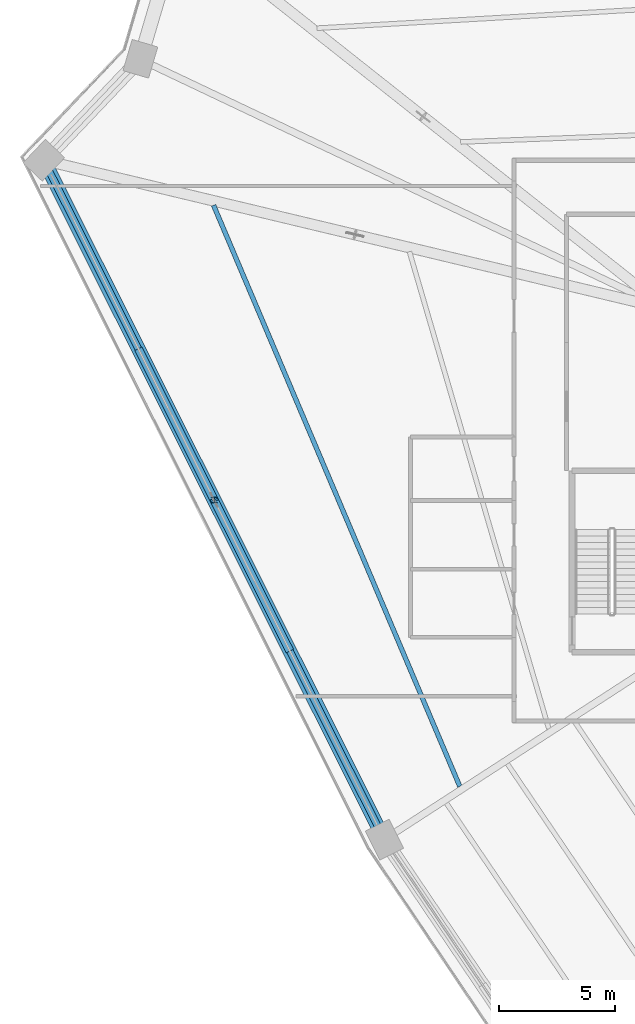
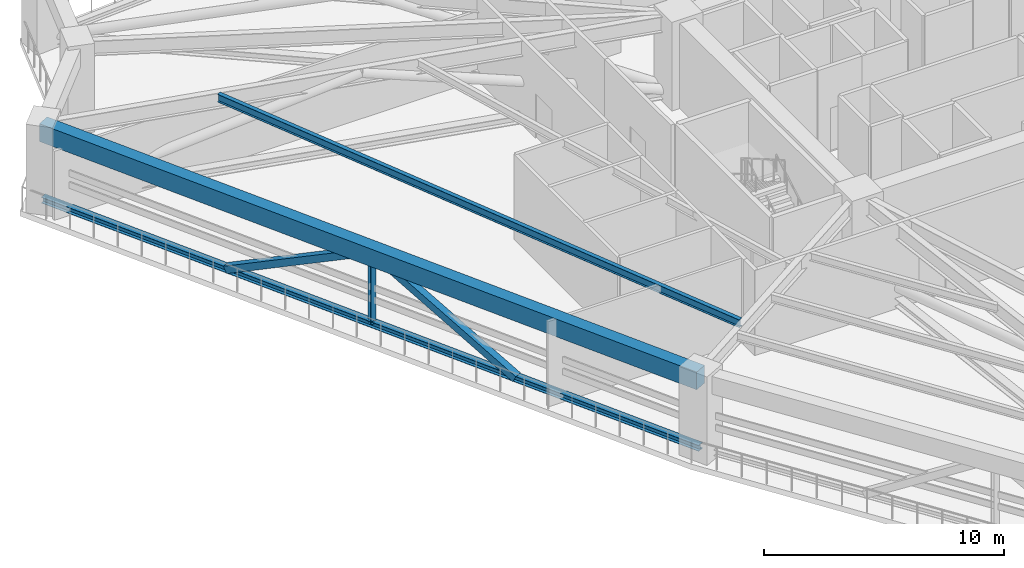
# One storey, part 5 of 23: 4 members, 2 beams.
"""IFC4 building model written with IfcOpenShell, lengths in metres."""

from ifc_helpers import new_model, si_unit, direction, frame, origin, origin_2d, place, context, subcontext, project, spatial, rectangle, hollow_rectangle, i_section, extrude, source, transform, mapped, material, material_profile, profile_set, type_object, element, save


model = new_model("IFC4")

# Units and contexts
model_context = context("Model", 3, precision=1e-05, world=origin(), true_north=direction((0.0, 1.0)))
body_context = subcontext(model_context, "Body", "Model", "MODEL_VIEW")
ifc_project = project(units=[si_unit("LENGTHUNIT", "METRE"), si_unit("AREAUNIT", "SQUARE_METRE"), si_unit("VOLUMEUNIT", "CUBIC_METRE"), si_unit("PLANEANGLEUNIT", "RADIAN"), si_unit("MASSUNIT", "GRAM", prefix="KILO")], contexts=[model_context])

# Site, building, storey
site_placement = place(None, origin())
site = spatial("IfcSite", under=ifc_project, at=site_placement, CompositionType="ELEMENT")
building_placement = place(site_placement, origin())
building = spatial("IfcBuilding", under=site, at=building_placement, Name="Liaohun Quay Tower", CompositionType="ELEMENT")
storey_placement = place(building_placement, frame((0.0, 0.0, 139.5)))
storey = spatial("IfcBuildingStorey", under=building, at=storey_placement, Name="L36", CompositionType="ELEMENT", Elevation=139.5)

# Member
ifc_material_1 = material(Name="Steel Q355D", Category="steel")
ifc_material_profile_1 = material_profile(ifc_material_1, i_section(OverallWidth=0.25, OverallDepth=0.25, WebThickness=0.009033203125, FlangeThickness=0.013916015625, at=origin_2d()), Name="HW250x250x9x14")
ifc_profile_set_1 = profile_set([ifc_material_profile_1], Name="Steel Q355D")
member_type_1 = type_object("IfcMemberType", Name="MEM-BLT-PST", PredefinedType="POST", material=ifc_profile_set_1)
shared_shape_1 = source(origin(), body_context, "Body", "SweptSolid", [
    extrude(i_section(OverallWidth=0.25, OverallDepth=0.25, WebThickness=0.009033203125, FlangeThickness=0.013916015625, at=origin_2d()), origin(), (0.0, 0.0, 1.0), 3.669921875),
])
member_1_placement = place(storey_placement, frame((31.511962890625, 53.262939453125, 0.35009765625), z_axis=(0.0, 0.0, 1.0), x_axis=(1.0, 0.0, 0.0)))
element("IfcMember", 1, at=member_1_placement, inside=storey, type_object=member_type_1, Name="L36 Belt Truss Vertical Post BP-1-02", PredefinedType="POST", context=body_context, shape_type="MappedRepresentation", body=[
    mapped(shared_shape_1, transform((0.0, 0.0, 0.0), x_axis=(1.0, 0.0, 0.0), y_axis=(0.0, 1.0, 0.0), z_axis=(0.0, 0.0, 1.0), scale=1.0)),
])

# Beams
ifc_material_2 = material(Name="Precast concrete C55", Category="concrete")
ifc_material_profile_2 = material_profile(ifc_material_2, rectangle(XDim=0.60009765625, YDim=0.89990234375, at=origin_2d()), Name="RC600x900")
ifc_profile_set_2 = profile_set([ifc_material_profile_2], Name="Precast concrete C55")
beam_type_1 = type_object("IfcBeamType", Name="BM-SPD-Z2", PredefinedType="SPANDREL", material=ifc_profile_set_2)
shared_shape_2 = source(origin(), body_context, "Body", "SweptSolid", [
    extrude(rectangle(XDim=0.60009765625, YDim=0.89990234375, at=origin_2d()), origin(), (0.0, 0.0, 1.0), 32.76611328125),
])
beam_1_placement = place(storey_placement, frame((38.85400390625, 38.616943359375, 3.8701171875), z_axis=(-0.448119410414, 0.89397370991, 0.0), x_axis=(-0.89397370991, -0.448119410414, 0.0)))
element("IfcBeam", 2, at=beam_1_placement, inside=storey, type_object=beam_type_1, Name="L36 Precast Spandrel Beam PC02-PC03", PredefinedType="SPANDREL", context=body_context, shape_type="MappedRepresentation", body=[
    mapped(shared_shape_2, transform((0.0, 0.0, 0.0), x_axis=(1.0, 0.0, 0.0), y_axis=(0.0, 1.0, 0.0), z_axis=(0.0, 0.0, 1.0), scale=1.0)),
])
ifc_material_profile_3 = material_profile(ifc_material_1, i_section(OverallWidth=0.199951171875, OverallDepth=0.39990234375, WebThickness=0.008056640625, FlangeThickness=0.012939453125, at=origin_2d()), Name="HN400x200x8x13")
ifc_profile_set_3 = profile_set([ifc_material_profile_3], Name="Steel Q355D")
beam_type_2 = type_object("IfcBeamType", Name="BM-SEC-J2", PredefinedType="JOIST", material=ifc_profile_set_3)
shared_shape_3 = source(origin(), body_context, "Body", "SweptSolid", [
    extrude(i_section(OverallWidth=0.199951171875, OverallDepth=0.39990234375, WebThickness=0.008056640625, FlangeThickness=0.012939453125, at=origin_2d()), origin(), (0.0, 0.0, 1.0), 27.20849609375),
])
beam_2_placement = place(storey_placement, frame((42.10302734375, 40.916015625, 4.1201171875), z_axis=(-0.390171210787, 0.920742323494, 0.0), x_axis=(-0.920742323494, -0.390171210787, 0.0)))
element("IfcBeam", 3, at=beam_2_placement, inside=storey, type_object=beam_type_2, Name="L36 Wing Secondary Floor Joist SJ-05", PredefinedType="JOIST", context=body_context, shape_type="MappedRepresentation", body=[
    mapped(shared_shape_3, transform((0.0, 0.0, 0.0), x_axis=(1.0, 0.0, 0.0), y_axis=(0.0, 1.0, 0.0), z_axis=(0.0, 0.0, 1.0), scale=1.0)),
])

# Members
ifc_material_profile_4 = material_profile(ifc_material_1, i_section(OverallWidth=0.300048828125, OverallDepth=0.300048828125, WebThickness=0.010009765625, FlangeThickness=0.014892578125, at=origin_2d()), Name="HW300x300x10x15")
ifc_profile_set_4 = profile_set([ifc_material_profile_4], Name="Steel Q355D")
member_type_2 = type_object("IfcMemberType", Name="MEM-BLT-CHD", PredefinedType="CHORD", material=ifc_profile_set_4)
shared_shape_4 = source(origin(), body_context, "Body", "SweptSolid", [
    extrude(i_section(OverallWidth=0.300048828125, OverallDepth=0.300048828125, WebThickness=0.010009765625, FlangeThickness=0.014892578125, at=origin_2d()), origin(), (0.0, 0.0, 1.0), 32.76611328125),
])
member_2_placement = place(storey_placement, frame((38.85400390625, 38.616943359375, 0.35009765625), z_axis=(-0.448119410414, 0.89397370991, 0.0), x_axis=(-0.89397370991, -0.448119410414, 0.0)))
element("IfcMember", 4, at=member_2_placement, inside=storey, type_object=member_type_2, Name="L36 Belt Truss Bottom Chord BC-1-02", PredefinedType="CHORD", context=body_context, shape_type="MappedRepresentation", body=[
    mapped(shared_shape_4, transform((0.0, 0.0, 0.0), x_axis=(1.0, 0.0, 0.0), y_axis=(0.0, 1.0, 0.0), z_axis=(0.0, 0.0, 1.0), scale=1.0)),
])
ifc_material_profile_5 = material_profile(ifc_material_1, hollow_rectangle(XDim=0.35009765625, YDim=0.35009765625, WallThickness=0.01611328125, at=origin_2d()), Name="SHS350x350x16")
ifc_profile_set_5 = profile_set([ifc_material_profile_5], Name="Steel Q355D")
member_type_3 = type_object("IfcMemberType", Name="MEM-BLT-DG2", PredefinedType="BRACE", material=ifc_profile_set_5)
shared_shape_5 = source(origin(), body_context, "Body", "SweptSolid", [
    extrude(hollow_rectangle(XDim=0.35009765625, YDim=0.35009765625, WallThickness=0.01611328125, at=origin_2d()), origin(), (0.0, 0.0, 1.0), 8.0888671875),
])
member_3_placement = place(storey_placement, frame((34.742919921875, 46.819091796875, 0.35009765625), z_axis=(-0.399430099891, 0.796626723328, 0.4536975413), x_axis=(-0.893925375271, -0.448215822397, 0.0)))
element("IfcMember", 5, at=member_3_placement, inside=storey, type_object=member_type_3, Name="L36 Belt Truss Diagonal BD-02A", PredefinedType="BRACE", context=body_context, shape_type="MappedRepresentation", body=[
    mapped(shared_shape_5, transform((0.0, 0.0, 0.0), x_axis=(1.0, 0.0, 0.0), y_axis=(0.0, 1.0, 0.0), z_axis=(0.0, 0.0, 1.0), scale=1.0)),
])
shared_shape_6 = source(origin(), body_context, "Body", "SweptSolid", [
    extrude(hollow_rectangle(XDim=0.35009765625, YDim=0.35009765625, WallThickness=0.01611328125, at=origin_2d()), origin(), (0.0, 0.0, 1.0), 8.088623046875),
])
member_4_placement = place(storey_placement, frame((31.511962890625, 53.262939453125, 4.02001953125), z_axis=(-0.399319023474, 0.796676162101, -0.453708508001), x_axis=(-0.893986453506, -0.448093986735, 0.0)))
element("IfcMember", 6, at=member_4_placement, inside=storey, type_object=member_type_3, Name="L36 Belt Truss Diagonal BD-02B", PredefinedType="BRACE", context=body_context, shape_type="MappedRepresentation", body=[
    mapped(shared_shape_6, transform((0.0, 0.0, 0.0), x_axis=(1.0, 0.0, 0.0), y_axis=(0.0, 1.0, 0.0), z_axis=(0.0, 0.0, 1.0), scale=1.0)),
])

save(model, "model.ifc")
